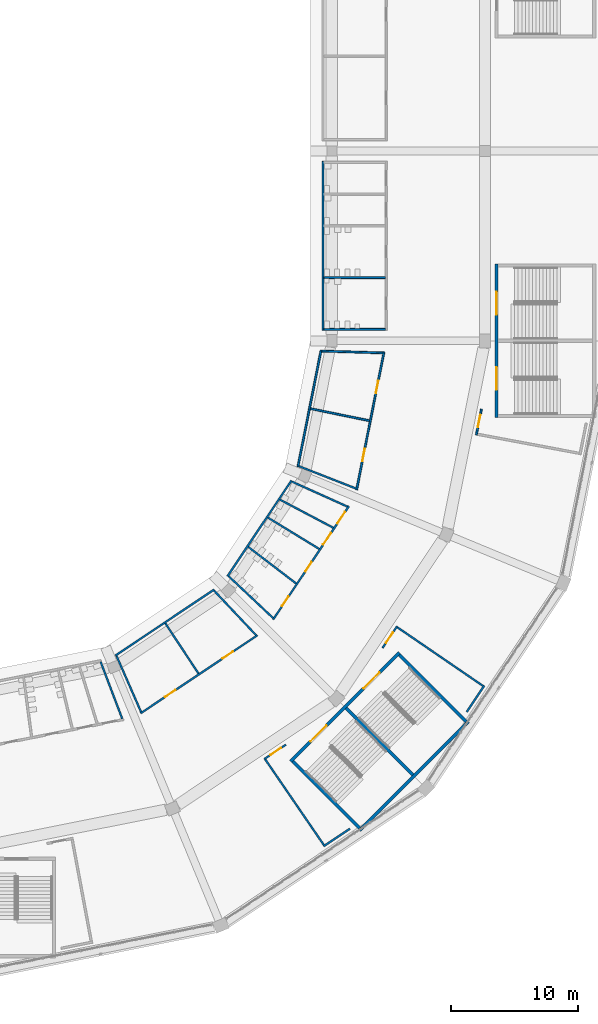
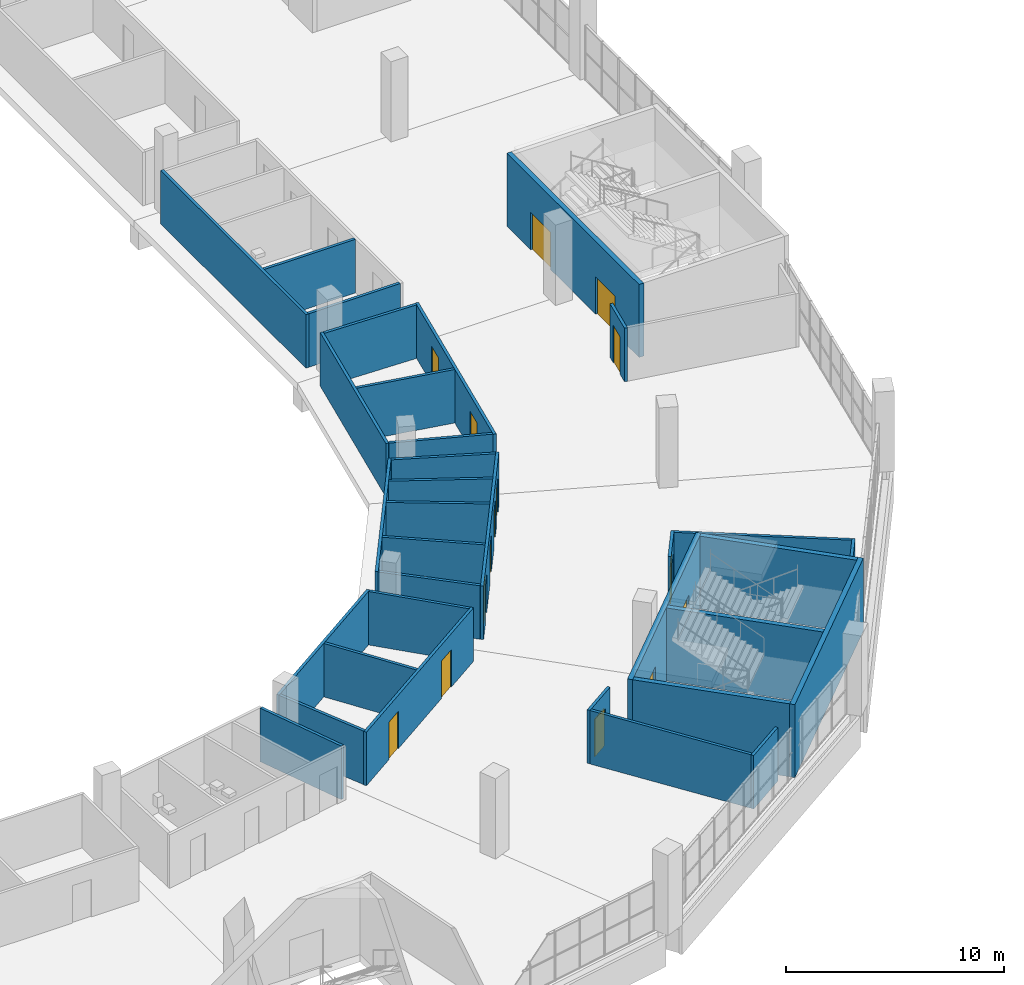
# One storey, part 81 of 199: 34 walls, 15 doors, 15 openings.
"""IFC4 building model written with IfcOpenShell, lengths in metres."""

from ifc_helpers import new_model, si_unit, direction, frame, frame_2d, origin, place, context, subcontext, project, spatial, rectangle, extrude, material, layer, layer_set, type_object, element, fill, save


model = new_model("IFC4")

# Units and contexts
model_context = context("Model", 3, precision=1e-05, world=origin(), true_north=direction((0.0, 1.0)))
body_context = subcontext(model_context, "Body", "Model", "MODEL_VIEW")
ifc_project = project(units=[si_unit("LENGTHUNIT", "METRE"), si_unit("AREAUNIT", "SQUARE_METRE"), si_unit("VOLUMEUNIT", "CUBIC_METRE"), si_unit("PLANEANGLEUNIT", "RADIAN"), si_unit("MASSUNIT", "GRAM", prefix="KILO")], contexts=[model_context])

# Site, building, storey
site_placement = place(None, origin())
site = spatial("IfcSite", under=ifc_project, at=site_placement, CompositionType="ELEMENT")
building_placement = place(site_placement, origin())
building = spatial("IfcBuilding", under=site, at=building_placement, Name="Ogive Plaza Stadium", CompositionType="ELEMENT")
storey_placement = place(building_placement, frame((0.0, 0.0, 4.5)))
storey = spatial("IfcBuildingStorey", under=building, at=storey_placement, Name="L01", CompositionType="ELEMENT", Elevation=4.5)

# Wall
ifc_material_1 = material(Name="Masonry blockwork", Category="masonry")
ifc_layer_1 = layer(ifc_material_1, 0.14990234375)
ifc_layer_set_1 = layer_set([ifc_layer_1], Name="Blockwork wall 150")
wall_type_1 = type_object("IfcWallType", Name="Blockwork wall 150", PredefinedType="SOLIDWALL", material=ifc_layer_set_1)
wall_1_placement = place(storey_placement, frame((61.052490234375, -53.240966796875, 0.0), z_axis=(0.0, 0.0, 1.0), x_axis=(-0.195075759432, -0.980788176969, 0.0)))
element("IfcWall", 1, at=wall_1_placement, inside=storey, type_object=wall_type_1, Name="Wall L01 B08", PredefinedType="SOLIDWALL", context=body_context, shape_type="SweptSolid", body=[
    extrude(rectangle(XDim=9.3876953125, YDim=0.14990234375, at=frame_2d((4.69384765625, 0.0))), origin(), (0.0, 0.0, 1.0), 3.0),
])

# Wall, openings, doors
wall_2_placement = place(storey_placement, frame((66.025390625, -53.377197265625, 0.0), z_axis=(0.0, 0.0, 1.0), x_axis=(-0.195076764682, -0.980787977027, 0.0)))
wall_2 = element("IfcWall", 2, at=wall_2_placement, inside=storey, type_object=wall_type_1, Name="Wall L01 B08", PredefinedType="SOLIDWALL", context=body_context, shape_type="SweptSolid", body=[
    extrude(rectangle(XDim=11.113525390625, YDim=0.14990234375, at=frame_2d((5.556640625, 0.0))), origin(), (0.0, 0.0, 1.0), 3.0),
])
opening_1_placement = place(wall_2_placement, frame((2.319091796875, 0.0, 0.0)))
opening_1 = element("IfcOpeningElement", 3, at=opening_1_placement, cuts=wall_2, Name="Opening D0491", PredefinedType="OPENING", context=body_context, shape_type="SweptSolid", body=[
    extrude(rectangle(XDim=1.0, YDim=2.10009765625, at=frame_2d((0.5, 1.050048828125))), frame((0.0, 0.074951171875, 0.0), z_axis=(0.0, -1.0, 0.0), x_axis=(1.0, 0.0, 0.0)), (0.0, 0.0, 1.0), 0.14990234375),
])
opening_2_placement = place(wall_2_placement, frame((7.79443359375, 0.0, 0.0)))
opening_2 = element("IfcOpeningElement", 4, at=opening_2_placement, cuts=wall_2, Name="Opening D0492", PredefinedType="OPENING", context=body_context, shape_type="SweptSolid", body=[
    extrude(rectangle(XDim=1.0, YDim=2.10009765625, at=frame_2d((0.5, 1.050048828125))), frame((0.0, 0.074951171875, 0.0), z_axis=(0.0, -1.0, 0.0), x_axis=(1.0, 0.0, 0.0)), (0.0, 0.0, 1.0), 0.14990234375),
])
ifc_material_2 = material(Name="Steel ASTM A572 Grade 50", Category="steel")
door_type_1 = type_object("IfcDoorType", Name="Door 1000 x 2100", OperationType="SINGLE_SWING_LEFT", PredefinedType="DOOR", material=ifc_material_2)
door_1_placement = place(opening_1_placement, origin())
door_1 = element("IfcDoor", 5, at=door_1_placement, inside=storey, type_object=door_type_1, Name="Club Bar B08 door", OperationType="SINGLE_SWING_LEFT", OverallHeight=2.10009765625, OverallWidth=1.0, PredefinedType="DOOR", context=body_context, shape_type="SweptSolid", body=[
    extrude(rectangle(XDim=1.0, YDim=2.10009765625, at=frame_2d((0.5, 1.050048828125))), frame((0.0, 0.02490234375, 0.0), z_axis=(0.0, -1.0, 0.0), x_axis=(1.0, 0.0, 0.0)), (0.0, 0.0, 1.0), 0.050048828125),
])
fill(opening_1, door_1)
ifc_material_3 = material(Name="Steel ASTM A572 Grade 50", Category="steel")
door_type_2 = type_object("IfcDoorType", Name="Fire door FD60 1000 x 2100", OperationType="SINGLE_SWING_LEFT", PredefinedType="DOOR", material=ifc_material_3)
door_2_placement = place(opening_2_placement, origin())
door_2 = element("IfcDoor", 6, at=door_2_placement, inside=storey, type_object=door_type_2, Name="Club Kitchen B08 door", OperationType="SINGLE_SWING_RIGHT", OverallHeight=2.10009765625, OverallWidth=1.0, PredefinedType="DOOR", context=body_context, shape_type="SweptSolid", body=[
    extrude(rectangle(XDim=1.0, YDim=2.10009765625, at=frame_2d((0.5, 1.050048828125))), frame((0.0, 0.02490234375, 0.0), z_axis=(0.0, -1.0, 0.0), x_axis=(1.0, 0.0, 0.0)), (0.0, 0.0, 1.0), 0.050048828125),
])
fill(opening_2, door_2)

# Walls
wall_3_placement = place(storey_placement, frame((61.11376953125, -53.310546875, 0.0), z_axis=(0.0, 0.0, 1.0), x_axis=(0.999552485488, -0.02991368842, 0.0)))
element("IfcWall", 7, at=wall_3_placement, inside=storey, type_object=wall_type_1, Name="Wall L01 B08", PredefinedType="SOLIDWALL", context=body_context, shape_type="SweptSolid", body=[
    extrude(rectangle(XDim=4.823486328125, YDim=0.14990234375, at=frame_2d((2.41162109375, 0.0))), origin(), (0.0, 0.0, 1.0), 3.0),
])
wall_4_placement = place(storey_placement, frame((60.208984375, -57.859375, 0.0), z_axis=(0.0, 0.0, 1.0), x_axis=(0.979720657149, -0.200368245875, 0.0)))
element("IfcWall", 8, at=wall_4_placement, inside=storey, type_object=wall_type_1, Name="Wall L01 B08", PredefinedType="SOLIDWALL", context=body_context, shape_type="SweptSolid", body=[
    extrude(rectangle(XDim=4.7568359375, YDim=0.14990234375, at=frame_2d((2.37841796875, 0.0))), origin(), (0.0, 0.0, 1.0), 3.0),
])
wall_5_placement = place(storey_placement, frame((59.30419921875, -62.408203125, 0.0), z_axis=(0.0, 0.0, 1.0), x_axis=(0.931152553876, -0.364629841634, 0.0)))
element("IfcWall", 9, at=wall_5_placement, inside=storey, type_object=wall_type_1, Name="Wall L01 B08", PredefinedType="SOLIDWALL", context=body_context, shape_type="SweptSolid", body=[
    extrude(rectangle(XDim=4.832275390625, YDim=0.14990234375, at=frame_2d((2.416015625, 0.0))), origin(), (0.0, 0.0, 1.0), 3.0),
])

# Wall, opening, door
wall_6_placement = place(storey_placement, frame((73.7265625, -57.896240234375, 0.0), z_axis=(0.0, 0.0, 1.0), x_axis=(-0.195055250603, -0.980792255889, 0.0)))
wall_6 = element("IfcWall", 10, at=wall_6_placement, inside=storey, type_object=wall_type_1, Name="Wall L01 B08", PredefinedType="SOLIDWALL", context=body_context, shape_type="SweptSolid", body=[
    extrude(rectangle(XDim=2.080322265625, YDim=0.14990234375, at=frame_2d((1.0400390625, 0.0))), origin(), (0.0, 0.0, 1.0), 3.0),
])
opening_3_placement = place(wall_6_placement, frame((0.47216796875, 0.0, 0.0)))
opening_3 = element("IfcOpeningElement", 11, at=opening_3_placement, cuts=wall_6, Name="Opening D0493", PredefinedType="OPENING", context=body_context, shape_type="SweptSolid", body=[
    extrude(rectangle(XDim=1.0, YDim=2.10009765625, at=frame_2d((0.5, 1.050048828125))), frame((0.0, 0.074951171875, 0.0), z_axis=(0.0, -1.0, 0.0), x_axis=(1.0, 0.0, 0.0)), (0.0, 0.0, 1.0), 0.14990234375),
])
door_3_placement = place(opening_3_placement, origin())
door_3 = element("IfcDoor", 12, at=door_3_placement, inside=storey, type_object=door_type_2, Name="Cleaner's Store B08 door", OperationType="SINGLE_SWING_LEFT", OverallHeight=2.10009765625, OverallWidth=1.0, PredefinedType="DOOR", context=body_context, shape_type="SweptSolid", body=[
    extrude(rectangle(XDim=1.0, YDim=2.10009765625, at=frame_2d((0.5, 1.050048828125))), frame((0.0, 0.02490234375, 0.0), z_axis=(0.0, -1.0, 0.0), x_axis=(1.0, 0.0, 0.0)), (0.0, 0.0, 1.0), 0.050048828125),
])
fill(opening_3, door_3)

wall_7_placement = place(storey_placement, frame((65.90673828125, -76.775390625, 0.0), z_axis=(0.0, 0.0, 1.0), x_axis=(0.555485387307, 0.831526298134, 0.0)))
wall_7 = element("IfcWall", 13, at=wall_7_placement, inside=storey, type_object=wall_type_1, Name="Wall L01 B09", PredefinedType="SOLIDWALL", context=body_context, shape_type="SweptSolid", body=[
    extrude(rectangle(XDim=2.080078125, YDim=0.14990234375, at=frame_2d((1.0400390625, 0.0))), origin(), (0.0, 0.0, 1.0), 3.0),
])
opening_4_placement = place(wall_7_placement, frame((0.47216796875, 0.0, 0.0)))
opening_4 = element("IfcOpeningElement", 14, at=opening_4_placement, cuts=wall_7, Name="Opening D0498", PredefinedType="OPENING", context=body_context, shape_type="SweptSolid", body=[
    extrude(rectangle(XDim=1.0, YDim=2.10009765625, at=frame_2d((0.5, 1.050048828125))), frame((0.0, 0.074951171875, 0.0), z_axis=(0.0, -1.0, 0.0), x_axis=(1.0, 0.0, 0.0)), (0.0, 0.0, 1.0), 0.14990234375),
])
door_4_placement = place(opening_4_placement, origin())
door_4 = element("IfcDoor", 15, at=door_4_placement, inside=storey, type_object=door_type_1, Name="Club Servery B09 door", OperationType="SINGLE_SWING_LEFT", OverallHeight=2.10009765625, OverallWidth=1.0, PredefinedType="DOOR", context=body_context, shape_type="SweptSolid", body=[
    extrude(rectangle(XDim=1.0, YDim=2.10009765625, at=frame_2d((0.5, 1.050048828125))), frame((0.0, 0.02490234375, 0.0), z_axis=(0.0, -1.0, 0.0), x_axis=(1.0, 0.0, 0.0)), (0.0, 0.0, 1.0), 0.050048828125),
])
fill(opening_4, door_4)

# Walls
wall_8_placement = place(storey_placement, frame((72.553955078125, -81.832763671875, 0.0), z_axis=(0.0, 0.0, 1.0), x_axis=(0.555551611961, 0.831482054195, 0.0)))
element("IfcWall", 16, at=wall_8_placement, inside=storey, type_object=wall_type_1, Name="Wall L01 B09", PredefinedType="SOLIDWALL", context=body_context, shape_type="SweptSolid", body=[
    extrude(rectangle(XDim=2.513671875, YDim=0.14990234375, at=frame_2d((1.2568359375, 0.0))), origin(), (0.0, 0.0, 1.0), 3.0),
])
wall_9_placement = place(storey_placement, frame((67.08544921875, -75.143798828125, 0.0), z_axis=(0.0, 0.0, 1.0), x_axis=(0.825237791444, -0.564785434986, 0.0)))
element("IfcWall", 17, at=wall_9_placement, inside=storey, type_object=wall_type_1, Name="Wall L01 B09", PredefinedType="SOLIDWALL", context=body_context, shape_type="SweptSolid", body=[
    extrude(rectangle(XDim=8.189697265625, YDim=0.14990234375, at=frame_2d((4.0947265625, 0.0))), origin(), (0.0, 0.0, 1.0), 3.0),
])
wall_10_placement = place(storey_placement, frame((52.60498046875, -72.153076171875, 0.0), z_axis=(0.0, 0.0, 1.0), x_axis=(-0.831461674059, -0.555582113257, 0.0)))
element("IfcWall", 18, at=wall_10_placement, inside=storey, type_object=wall_type_1, Name="Wall L01 B10", PredefinedType="SOLIDWALL", context=body_context, shape_type="SweptSolid", body=[
    extrude(rectangle(XDim=9.3876953125, YDim=0.14990234375, at=frame_2d((4.69384765625, 0.0))), origin(), (0.0, 0.0, 1.0), 3.0),
])

# Wall, openings, doors
wall_11_placement = place(storey_placement, frame((56.025146484375, -75.765869140625, 0.0), z_axis=(0.0, 0.0, 1.0), x_axis=(-0.831478677095, -0.55555666636, 0.0)))
wall_11 = element("IfcWall", 19, at=wall_11_placement, inside=storey, type_object=wall_type_1, Name="Wall L01 B10", PredefinedType="SOLIDWALL", context=body_context, shape_type="SweptSolid", body=[
    extrude(rectangle(XDim=11.11328125, YDim=0.14990234375, at=frame_2d((5.556640625, 0.0))), origin(), (0.0, 0.0, 1.0), 3.0),
])
opening_5_placement = place(wall_11_placement, frame((2.319091796875, 0.0, 0.0)))
opening_5 = element("IfcOpeningElement", 20, at=opening_5_placement, cuts=wall_11, Name="Opening D0499", PredefinedType="OPENING", context=body_context, shape_type="SweptSolid", body=[
    extrude(rectangle(XDim=1.0, YDim=2.10009765625, at=frame_2d((0.5, 1.050048828125))), frame((0.0, 0.074951171875, 0.0), z_axis=(0.0, -1.0, 0.0), x_axis=(1.0, 0.0, 0.0)), (0.0, 0.0, 1.0), 0.14990234375),
])
opening_6_placement = place(wall_11_placement, frame((7.79443359375, 0.0, 0.0)))
opening_6 = element("IfcOpeningElement", 21, at=opening_6_placement, cuts=wall_11, Name="Opening D0500", PredefinedType="OPENING", context=body_context, shape_type="SweptSolid", body=[
    extrude(rectangle(XDim=1.0, YDim=2.10009765625, at=frame_2d((0.5, 1.050048828125))), frame((0.0, 0.074951171875, 0.0), z_axis=(0.0, -1.0, 0.0), x_axis=(1.0, 0.0, 0.0)), (0.0, 0.0, 1.0), 0.14990234375),
])
door_5_placement = place(opening_5_placement, origin())
door_5 = element("IfcDoor", 22, at=door_5_placement, inside=storey, type_object=door_type_1, Name="Club Bar B10 door", OperationType="SINGLE_SWING_LEFT", OverallHeight=2.10009765625, OverallWidth=1.0, PredefinedType="DOOR", context=body_context, shape_type="SweptSolid", body=[
    extrude(rectangle(XDim=1.0, YDim=2.10009765625, at=frame_2d((0.5, 1.050048828125))), frame((0.0, 0.02490234375, 0.0), z_axis=(0.0, -1.0, 0.0), x_axis=(1.0, 0.0, 0.0)), (0.0, 0.0, 1.0), 0.050048828125),
])
fill(opening_5, door_5)
door_6_placement = place(opening_6_placement, origin())
door_6 = element("IfcDoor", 23, at=door_6_placement, inside=storey, type_object=door_type_2, Name="Club Kitchen B10 door", OperationType="SINGLE_SWING_RIGHT", OverallHeight=2.10009765625, OverallWidth=1.0, PredefinedType="DOOR", context=body_context, shape_type="SweptSolid", body=[
    extrude(rectangle(XDim=1.0, YDim=2.10009765625, at=frame_2d((0.5, 1.050048828125))), frame((0.0, 0.02490234375, 0.0), z_axis=(0.0, -1.0, 0.0), x_axis=(1.0, 0.0, 0.0)), (0.0, 0.0, 1.0), 0.050048828125),
])
fill(opening_6, door_6)

# Walls
wall_12_placement = place(storey_placement, frame((52.59912109375, -72.24560546875, 0.0), z_axis=(0.0, 0.0, 1.0), x_axis=(0.685685134118, -0.727898273696, 0.0)))
element("IfcWall", 24, at=wall_12_placement, inside=storey, type_object=wall_type_1, Name="Wall L01 B10", PredefinedType="SOLIDWALL", context=body_context, shape_type="SweptSolid", body=[
    extrude(rectangle(XDim=4.823486328125, YDim=0.14990234375, at=frame_2d((2.41162109375, 0.0))), origin(), (0.0, 0.0, 1.0), 3.0),
])
wall_13_placement = place(storey_placement, frame((48.742919921875, -74.822265625, 0.0), z_axis=(0.0, 0.0, 1.0), x_axis=(0.551118175735, -0.834427202561, 0.0)))
element("IfcWall", 25, at=wall_13_placement, inside=storey, type_object=wall_type_1, Name="Wall L01 B10", PredefinedType="SOLIDWALL", context=body_context, shape_type="SweptSolid", body=[
    extrude(rectangle(XDim=4.7568359375, YDim=0.14990234375, at=frame_2d((2.37841796875, 0.0))), origin(), (0.0, 0.0, 1.0), 3.0),
])
wall_14_placement = place(storey_placement, frame((44.886474609375, -77.39892578125, 0.0), z_axis=(0.0, 0.0, 1.0), x_axis=(0.400646552146, -0.916232688924, 0.0)))
element("IfcWall", 26, at=wall_14_placement, inside=storey, type_object=wall_type_1, Name="Wall L01 B10", PredefinedType="SOLIDWALL", context=body_context, shape_type="SweptSolid", body=[
    extrude(rectangle(XDim=4.832275390625, YDim=0.14990234375, at=frame_2d((2.416015625, 0.0))), origin(), (0.0, 0.0, 1.0), 3.0),
])

# Wall, opening, door
wall_15_placement = place(storey_placement, frame((58.275390625, -84.40673828125, 0.0), z_axis=(0.0, 0.0, 1.0), x_axis=(-0.831526298134, -0.555485387307, 0.0)))
wall_15 = element("IfcWall", 27, at=wall_15_placement, inside=storey, type_object=wall_type_1, Name="Wall L01 B10", PredefinedType="SOLIDWALL", context=body_context, shape_type="SweptSolid", body=[
    extrude(rectangle(XDim=2.080078125, YDim=0.14990234375, at=frame_2d((1.0400390625, 0.0))), origin(), (0.0, 0.0, 1.0), 3.0),
])
opening_7_placement = place(wall_15_placement, frame((0.47216796875, 0.0, 0.0)))
opening_7 = element("IfcOpeningElement", 28, at=opening_7_placement, cuts=wall_15, Name="Opening D0501", PredefinedType="OPENING", context=body_context, shape_type="SweptSolid", body=[
    extrude(rectangle(XDim=1.0, YDim=2.10009765625, at=frame_2d((0.5, 1.050048828125))), frame((0.0, 0.074951171875, 0.0), z_axis=(0.0, -1.0, 0.0), x_axis=(1.0, 0.0, 0.0)), (0.0, 0.0, 1.0), 0.14990234375),
])
door_7_placement = place(opening_7_placement, origin())
door_7 = element("IfcDoor", 29, at=door_7_placement, inside=storey, type_object=door_type_2, Name="Club Store B10 door", OperationType="SINGLE_SWING_LEFT", OverallHeight=2.10009765625, OverallWidth=1.0, PredefinedType="DOOR", context=body_context, shape_type="SweptSolid", body=[
    extrude(rectangle(XDim=1.0, YDim=2.10009765625, at=frame_2d((0.5, 1.050048828125))), frame((0.0, 0.02490234375, 0.0), z_axis=(0.0, -1.0, 0.0), x_axis=(1.0, 0.0, 0.0)), (0.0, 0.0, 1.0), 0.050048828125),
])
fill(opening_7, door_7)

# Walls
wall_16_placement = place(storey_placement, frame((63.332763671875, -91.053955078125, 0.0), z_axis=(0.0, 0.0, 1.0), x_axis=(-0.831482054195, -0.555551611961, 0.0)))
element("IfcWall", 30, at=wall_16_placement, inside=storey, type_object=wall_type_1, Name="Wall L01 B10", PredefinedType="SOLIDWALL", context=body_context, shape_type="SweptSolid", body=[
    extrude(rectangle(XDim=2.513671875, YDim=0.14990234375, at=frame_2d((1.2568359375, 0.0))), origin(), (0.0, 0.0, 1.0), 3.0),
])
wall_17_placement = place(storey_placement, frame((56.643798828125, -85.58544921875, 0.0), z_axis=(0.0, 0.0, 1.0), x_axis=(0.564785434986, -0.825237791444, 0.0)))
element("IfcWall", 31, at=wall_17_placement, inside=storey, type_object=wall_type_1, Name="Wall L01 B10", PredefinedType="SOLIDWALL", context=body_context, shape_type="SweptSolid", body=[
    extrude(rectangle(XDim=8.189697265625, YDim=0.14990234375, at=frame_2d((4.0947265625, 0.0))), origin(), (0.0, 0.0, 1.0), 3.0),
])

# Wall, openings, doors
ifc_material_4 = material(Name="Concrete C40/50", Category="concrete")
ifc_layer_2 = layer(ifc_material_4, 0.25)
ifc_layer_set_2 = layer_set([ifc_layer_2], Name="Concrete C40/50")
wall_type_2 = type_object("IfcWallType", Name="Core wall 250", PredefinedType="SHEAR", material=ifc_layer_set_2)
wall_18_placement = place(storey_placement, frame((74.925048828125, -58.574951171875, 0.0), z_axis=(0.0, 0.0, 1.0), x_axis=(0.0, 1.0, 0.0)))
wall_18 = element("IfcWall", 32, at=wall_18_placement, inside=storey, type_object=wall_type_2, Name="Stair core R08 inner wall", PredefinedType="SHEAR", context=body_context, shape_type="SweptSolid", body=[
    extrude(rectangle(XDim=12.14990234375, YDim=0.25, at=frame_2d((6.074951171875, 0.0))), origin(), (0.0, 0.0, 1.0), 4.090087890625),
])
opening_8_placement = place(wall_18_placement, frame((2.199951171875, 0.0, 0.0)))
opening_8 = element("IfcOpeningElement", 33, at=opening_8_placement, cuts=wall_18, Name="Opening D0083", PredefinedType="OPENING", context=body_context, shape_type="SweptSolid", body=[
    extrude(rectangle(XDim=1.800048828125, YDim=2.10009765625, at=frame_2d((0.89990234375, 1.050048828125))), frame((0.0, 0.125, 0.0), z_axis=(0.0, -1.0, 0.0), x_axis=(1.0, 0.0, 0.0)), (0.0, 0.0, 1.0), 0.25),
])
opening_9_placement = place(wall_18_placement, frame((8.14990234375, 0.0, 0.0)))
opening_9 = element("IfcOpeningElement", 34, at=opening_9_placement, cuts=wall_18, Name="Opening D0084", PredefinedType="OPENING", context=body_context, shape_type="SweptSolid", body=[
    extrude(rectangle(XDim=1.800048828125, YDim=2.10009765625, at=frame_2d((0.89990234375, 1.050048828125))), frame((0.0, 0.125, 0.0), z_axis=(0.0, -1.0, 0.0), x_axis=(1.0, 0.0, 0.0)), (0.0, 0.0, 1.0), 0.25),
])
ifc_material_5 = material(Name="Steel ASTM A572 Grade 50", Category="steel")
door_type_3 = type_object("IfcDoorType", Name="Fire door FD90 pair 1800 x 2100", OperationType="DOUBLE_DOOR_SINGLE_SWING", PredefinedType="DOOR", material=ifc_material_5)
door_8_placement = place(opening_8_placement, origin())
door_8 = element("IfcDoor", 35, at=door_8_placement, inside=storey, type_object=door_type_3, Name="Exit stair R08A door L01", OperationType="DOUBLE_DOOR_SINGLE_SWING", OverallHeight=2.10009765625, OverallWidth=1.800048828125, PredefinedType="DOOR", context=body_context, shape_type="SweptSolid", body=[
    extrude(rectangle(XDim=1.800048828125, YDim=2.10009765625, at=frame_2d((0.89990234375, 1.050048828125))), frame((0.0, 0.02490234375, 0.0), z_axis=(0.0, -1.0, 0.0), x_axis=(1.0, 0.0, 0.0)), (0.0, 0.0, 1.0), 0.050048828125),
])
fill(opening_8, door_8)
door_9_placement = place(opening_9_placement, origin())
door_9 = element("IfcDoor", 36, at=door_9_placement, inside=storey, type_object=door_type_3, Name="Exit stair R08B door L01", OperationType="DOUBLE_DOOR_SINGLE_SWING", OverallHeight=2.10009765625, OverallWidth=1.800048828125, PredefinedType="DOOR", context=body_context, shape_type="SweptSolid", body=[
    extrude(rectangle(XDim=1.800048828125, YDim=2.10009765625, at=frame_2d((0.89990234375, 1.050048828125))), frame((0.0, 0.02490234375, 0.0), z_axis=(0.0, -1.0, 0.0), x_axis=(1.0, 0.0, 0.0)), (0.0, 0.0, 1.0), 0.050048828125),
])
fill(opening_9, door_9)

wall_19_placement = place(storey_placement, frame((58.642578125, -85.734130859375, 0.0), z_axis=(0.0, 0.0, 1.0), x_axis=(0.707106781187, 0.707106781187, 0.0)))
wall_19 = element("IfcWall", 37, at=wall_19_placement, inside=storey, type_object=wall_type_2, Name="Stair core R10 inner wall", PredefinedType="SHEAR", context=body_context, shape_type="SweptSolid", body=[
    extrude(rectangle(XDim=12.150390625, YDim=0.25, at=frame_2d((6.0751953125, 0.0))), origin(), (0.0, 0.0, 1.0), 4.090087890625),
])
opening_10_placement = place(wall_19_placement, frame((2.199951171875, 0.0, 0.0)))
opening_10 = element("IfcOpeningElement", 38, at=opening_10_placement, cuts=wall_19, Name="Opening D0095", PredefinedType="OPENING", context=body_context, shape_type="SweptSolid", body=[
    extrude(rectangle(XDim=1.800048828125, YDim=2.10009765625, at=frame_2d((0.89990234375, 1.050048828125))), frame((0.0, 0.125, 0.0), z_axis=(0.0, -1.0, 0.0), x_axis=(1.0, 0.0, 0.0)), (0.0, 0.0, 1.0), 0.25),
])
opening_11_placement = place(wall_19_placement, frame((8.14990234375, 0.0, 0.0)))
opening_11 = element("IfcOpeningElement", 39, at=opening_11_placement, cuts=wall_19, Name="Opening D0096", PredefinedType="OPENING", context=body_context, shape_type="SweptSolid", body=[
    extrude(rectangle(XDim=1.800048828125, YDim=2.10009765625, at=frame_2d((0.89990234375, 1.050048828125))), frame((0.0, 0.125, 0.0), z_axis=(0.0, -1.0, 0.0), x_axis=(1.0, 0.0, 0.0)), (0.0, 0.0, 1.0), 0.25),
])
door_10_placement = place(opening_10_placement, origin())
door_10 = element("IfcDoor", 40, at=door_10_placement, inside=storey, type_object=door_type_3, Name="Exit stair R10A door L01", OperationType="DOUBLE_DOOR_SINGLE_SWING", OverallHeight=2.10009765625, OverallWidth=1.800048828125, PredefinedType="DOOR", context=body_context, shape_type="SweptSolid", body=[
    extrude(rectangle(XDim=1.800048828125, YDim=2.10009765625, at=frame_2d((0.89990234375, 1.050048828125))), frame((0.0, 0.02490234375, 0.0), z_axis=(0.0, -1.0, 0.0), x_axis=(1.0, 0.0, 0.0)), (0.0, 0.0, 1.0), 0.050048828125),
])
fill(opening_10, door_10)
door_11_placement = place(opening_11_placement, origin())
door_11 = element("IfcDoor", 41, at=door_11_placement, inside=storey, type_object=door_type_3, Name="Exit stair R10B door L01", OperationType="DOUBLE_DOOR_SINGLE_SWING", OverallHeight=2.10009765625, OverallWidth=1.800048828125, PredefinedType="DOOR", context=body_context, shape_type="SweptSolid", body=[
    extrude(rectangle(XDim=1.800048828125, YDim=2.10009765625, at=frame_2d((0.89990234375, 1.050048828125))), frame((0.0, 0.02490234375, 0.0), z_axis=(0.0, -1.0, 0.0), x_axis=(1.0, 0.0, 0.0)), (0.0, 0.0, 1.0), 0.050048828125),
])
fill(opening_11, door_11)

# Walls
wall_20_placement = place(storey_placement, frame((64.094482421875, -91.185791015625, 0.0), z_axis=(0.0, 0.0, 1.0), x_axis=(0.707106781187, 0.707106781187, 0.0)))
element("IfcWall", 42, at=wall_20_placement, inside=storey, type_object=wall_type_2, Name="Stair core R10 outer wall", PredefinedType="SHEAR", context=body_context, shape_type="SweptSolid", body=[
    extrude(rectangle(XDim=12.14990234375, YDim=0.25, at=frame_2d((6.074951171875, 0.0))), origin(), (0.0, 0.0, 1.0), 4.090087890625),
])
for number, where, z_axis, x_axis, name in (
    (43, (58.8193359375, -85.734130859375, 0.0), (0.0, 0.0, 1.0), (0.707123144286, -0.707090417709, 0.0), "Stair core R10 side wall"),
    (44, (67.234130859375, -77.3193359375, 0.0), (0.0, 0.0, 1.0), (0.707090417709, -0.707123144286, 0.0), "Stair core R10 side wall"),
):
    element("IfcWall", number, at=place(storey_placement, frame(where, z_axis=z_axis, x_axis=x_axis)), inside=storey, type_object=wall_type_2, Name=name, PredefinedType="SHEAR", context=body_context, shape_type="SweptSolid", body=[
        extrude(rectangle(XDim=7.4599609375, YDim=0.25, at=frame_2d((3.72998046875, 0.0))), origin(), (0.0, 0.0, 1.0), 4.090087890625),
    ])
wall_21_placement = place(storey_placement, frame((63.026611328125, -81.526611328125, 0.0), z_axis=(0.0, 0.0, 1.0), x_axis=(0.707106781187, -0.707106781187, 0.0)))
element("IfcWall", 45, at=wall_21_placement, inside=storey, type_object=wall_type_2, Name="Stair core R10 centre wall", PredefinedType="SHEAR", context=body_context, shape_type="SweptSolid", body=[
    extrude(rectangle(XDim=7.460205078125, YDim=0.25, at=frame_2d((3.72998046875, 0.0))), origin(), (0.0, 0.0, 1.0), 4.090087890625),
])
ifc_material_6 = material(Name="Gypsum board partition", Category="gypsum")
ifc_layer_3 = layer(ifc_material_6, 0.14990234375)
ifc_layer_set_3 = layer_set([ifc_layer_3], Name="Partition 150")
wall_type_3 = type_object("IfcWallType", Name="Partition 150", PredefinedType="PARTITIONING", material=ifc_layer_set_3)
wall_22_placement = place(storey_placement, frame((61.199951171875, -51.675048828125, 0.0), z_axis=(0.0, 0.0, 1.0), x_axis=(0.0, 1.0, 0.0)))
element("IfcWall", 46, at=wall_22_placement, inside=storey, type_object=wall_type_3, Name="Wall L01 B07", PredefinedType="PARTITIONING", context=body_context, shape_type="SweptSolid", body=[
    extrude(rectangle(XDim=13.35009765625, YDim=0.14990234375, at=frame_2d((6.675048828125, 0.0))), origin(), (0.0, 0.0, 1.0), 3.0),
])
for number, where, z_axis, x_axis, name in (
    (47, (61.27490234375, -51.60009765625, 0.0), (0.0, 0.0, 1.0), (1.0, 0.0, 0.0), "Wall L01 B07"),
    (48, (61.27490234375, -47.508056640625, 0.0), (0.0, 0.0, 1.0), (1.0, 0.0, 0.0), "Wall L01 B07"),
):
    element("IfcWall", number, at=place(storey_placement, frame(where, z_axis=z_axis, x_axis=x_axis)), inside=storey, type_object=wall_type_3, Name=name, PredefinedType="PARTITIONING", context=body_context, shape_type="SweptSolid", body=[
        extrude(rectangle(XDim=4.85009765625, YDim=0.14990234375, at=frame_2d((2.425048828125, 0.0))), origin(), (0.0, 0.0, 1.0), 3.0),
    ])
wall_23_placement = place(storey_placement, frame((53.653076171875, -71.10498046875, 0.0), z_axis=(0.0, 0.0, 1.0), x_axis=(0.555566497886, 0.831472108027, 0.0)))
element("IfcWall", 49, at=wall_23_placement, inside=storey, type_object=wall_type_3, Name="Wall L01 B09", PredefinedType="PARTITIONING", context=body_context, shape_type="SweptSolid", body=[
    extrude(rectangle(XDim=9.101806640625, YDim=0.14990234375, at=frame_2d((4.55078125, 0.0))), origin(), (0.0, 0.0, 1.0), 3.0),
])

# Wall, openings, doors
wall_24_placement = place(storey_placement, frame((57.265869140625, -74.525146484375, 0.0), z_axis=(0.0, 0.0, 1.0), x_axis=(0.555562662276, 0.831474670862, 0.0)))
wall_24 = element("IfcWall", 50, at=wall_24_placement, inside=storey, type_object=wall_type_3, Name="Wall L01 B09", PredefinedType="PARTITIONING", context=body_context, shape_type="SweptSolid", body=[
    extrude(rectangle(XDim=10.77490234375, YDim=0.14990234375, at=frame_2d((5.387451171875, 0.0))), origin(), (0.0, 0.0, 1.0), 3.0),
])
opening_12_placement = place(wall_24_placement, frame((1.276123046875, 0.0, 0.0)))
opening_12 = element("IfcOpeningElement", 51, at=opening_12_placement, cuts=wall_24, Name="Opening D0494", PredefinedType="OPENING", context=body_context, shape_type="SweptSolid", body=[
    extrude(rectangle(XDim=0.89990234375, YDim=2.10009765625, at=frame_2d((0.449951171875, 1.050048828125))), frame((0.0, 0.074951171875, 0.0), z_axis=(0.0, -1.0, 0.0), x_axis=(1.0, 0.0, 0.0)), (0.0, 0.0, 1.0), 0.14990234375),
])
opening_13_placement = place(wall_24_placement, frame((4.56591796875, 0.0, 0.0)))
opening_13 = element("IfcOpeningElement", 52, at=opening_13_placement, cuts=wall_24, Name="Opening D0495", PredefinedType="OPENING", context=body_context, shape_type="SweptSolid", body=[
    extrude(rectangle(XDim=0.89990234375, YDim=2.10009765625, at=frame_2d((0.449951171875, 1.050048828125))), frame((0.0, 0.074951171875, 0.0), z_axis=(0.0, -1.0, 0.0), x_axis=(1.0, 0.0, 0.0)), (0.0, 0.0, 1.0), 0.14990234375),
])
opening_14_placement = place(wall_24_placement, frame((7.119140625, 0.0, 0.0)))
opening_14 = element("IfcOpeningElement", 53, at=opening_14_placement, cuts=wall_24, Name="Opening D0496", PredefinedType="OPENING", context=body_context, shape_type="SweptSolid", body=[
    extrude(rectangle(XDim=1.10009765625, YDim=2.10009765625, at=frame_2d((0.550048828125, 1.050048828125))), frame((0.0, 0.074951171875, 0.0), z_axis=(0.0, -1.0, 0.0), x_axis=(1.0, 0.0, 0.0)), (0.0, 0.0, 1.0), 0.14990234375),
])
opening_15_placement = place(wall_24_placement, frame((9.135498046875, 0.0, 0.0)))
opening_15 = element("IfcOpeningElement", 54, at=opening_15_placement, cuts=wall_24, Name="Opening D0497", PredefinedType="OPENING", context=body_context, shape_type="SweptSolid", body=[
    extrude(rectangle(XDim=1.10009765625, YDim=2.10009765625, at=frame_2d((0.550048828125, 1.050048828125))), frame((0.0, 0.074951171875, 0.0), z_axis=(0.0, -1.0, 0.0), x_axis=(1.0, 0.0, 0.0)), (0.0, 0.0, 1.0), 0.14990234375),
])
ifc_material_7 = material(Name="Steel ASTM A572 Grade 50", Category="steel")
door_type_4 = type_object("IfcDoorType", Name="Accessible door 1100 x 2100", OperationType="SINGLE_SWING_LEFT", PredefinedType="DOOR", material=ifc_material_7)
door_12_placement = place(opening_14_placement, origin())
door_12 = element("IfcDoor", 55, at=door_12_placement, inside=storey, type_object=door_type_4, Name="Accessible WC B09 door", OperationType="SINGLE_SWING_LEFT", OverallHeight=2.10009765625, OverallWidth=1.10009765625, PredefinedType="DOOR", context=body_context, shape_type="SweptSolid", body=[
    extrude(rectangle(XDim=1.10009765625, YDim=2.10009765625, at=frame_2d((0.550048828125, 1.050048828125))), frame((0.0, 0.02490234375, 0.0), z_axis=(0.0, -1.0, 0.0), x_axis=(1.0, 0.0, 0.0)), (0.0, 0.0, 1.0), 0.050048828125),
])
fill(opening_14, door_12)
door_13_placement = place(opening_15_placement, origin())
door_13 = element("IfcDoor", 56, at=door_13_placement, inside=storey, type_object=door_type_4, Name="Family WC B09 door", OperationType="SINGLE_SWING_LEFT", OverallHeight=2.10009765625, OverallWidth=1.10009765625, PredefinedType="DOOR", context=body_context, shape_type="SweptSolid", body=[
    extrude(rectangle(XDim=1.10009765625, YDim=2.10009765625, at=frame_2d((0.550048828125, 1.050048828125))), frame((0.0, 0.02490234375, 0.0), z_axis=(0.0, -1.0, 0.0), x_axis=(1.0, 0.0, 0.0)), (0.0, 0.0, 1.0), 0.050048828125),
])
fill(opening_15, door_13)
ifc_material_8 = material(Name="Steel ASTM A572 Grade 50", Category="steel")
door_type_5 = type_object("IfcDoorType", Name="Door 900 x 2100", OperationType="SINGLE_SWING_LEFT", PredefinedType="DOOR", material=ifc_material_8)
door_14_placement = place(opening_12_placement, origin())
door_14 = element("IfcDoor", 57, at=door_14_placement, inside=storey, type_object=door_type_5, Name="Men's Toilet B09 door", OperationType="SINGLE_SWING_RIGHT", OverallHeight=2.10009765625, OverallWidth=0.89990234375, PredefinedType="DOOR", context=body_context, shape_type="SweptSolid", body=[
    extrude(rectangle(XDim=0.89990234375, YDim=2.10009765625, at=frame_2d((0.449951171875, 1.050048828125))), frame((0.0, 0.02490234375, 0.0), z_axis=(0.0, -1.0, 0.0), x_axis=(1.0, 0.0, 0.0)), (0.0, 0.0, 1.0), 0.050048828125),
])
fill(opening_12, door_14)
door_15_placement = place(opening_13_placement, origin())
door_15 = element("IfcDoor", 58, at=door_15_placement, inside=storey, type_object=door_type_5, Name="Women's Toilet B09 door", OperationType="SINGLE_SWING_LEFT", OverallHeight=2.10009765625, OverallWidth=0.89990234375, PredefinedType="DOOR", context=body_context, shape_type="SweptSolid", body=[
    extrude(rectangle(XDim=0.89990234375, YDim=2.10009765625, at=frame_2d((0.449951171875, 1.050048828125))), frame((0.0, 0.02490234375, 0.0), z_axis=(0.0, -1.0, 0.0), x_axis=(1.0, 0.0, 0.0)), (0.0, 0.0, 1.0), 0.050048828125),
])
fill(opening_13, door_15)

# Walls
wall_25_placement = place(storey_placement, frame((53.74560546875, -71.09912109375, 0.0), z_axis=(0.0, 0.0, 1.0), x_axis=(0.727898273696, -0.685685134118, 0.0)))
element("IfcWall", 59, at=wall_25_placement, inside=storey, type_object=wall_type_3, Name="Wall L01 B09", PredefinedType="PARTITIONING", context=body_context, shape_type="SweptSolid", body=[
    extrude(rectangle(XDim=4.823486328125, YDim=0.14990234375, at=frame_2d((2.41162109375, 0.0))), origin(), (0.0, 0.0, 1.0), 3.0),
])
wall_26_placement = place(storey_placement, frame((55.293701171875, -68.7822265625, 0.0), z_axis=(0.0, 0.0, 1.0), x_axis=(0.794378186515, -0.607423490482, 0.0)))
element("IfcWall", 60, at=wall_26_placement, inside=storey, type_object=wall_type_3, Name="Wall L01 B09", PredefinedType="PARTITIONING", context=body_context, shape_type="SweptSolid", body=[
    extrude(rectangle(XDim=4.766357421875, YDim=0.14990234375, at=frame_2d((2.38330078125, 0.0))), origin(), (0.0, 0.0, 1.0), 3.0),
])
wall_27_placement = place(storey_placement, frame((56.841796875, -66.465087890625, 0.0), z_axis=(0.0, 0.0, 1.0), x_axis=(0.853168994556, -0.521634610364, 0.0)))
element("IfcWall", 61, at=wall_27_placement, inside=storey, type_object=wall_type_3, Name="Wall L01 B09", PredefinedType="PARTITIONING", context=body_context, shape_type="SweptSolid", body=[
    extrude(rectangle(XDim=4.7607421875, YDim=0.14990234375, at=frame_2d((2.38037109375, 0.0))), origin(), (0.0, 0.0, 1.0), 3.0),
])
wall_28_placement = place(storey_placement, frame((57.790771484375, -65.044921875, 0.0), z_axis=(0.0, 0.0, 1.0), x_axis=(0.884560293024, -0.466425865498, 0.0)))
element("IfcWall", 62, at=wall_28_placement, inside=storey, type_object=wall_type_3, Name="Wall L01 B09", PredefinedType="PARTITIONING", context=body_context, shape_type="SweptSolid", body=[
    extrude(rectangle(XDim=4.782470703125, YDim=0.14990234375, at=frame_2d((2.39111328125, 0.0))), origin(), (0.0, 0.0, 1.0), 3.0),
])
wall_29_placement = place(storey_placement, frame((58.73974609375, -63.625, 0.0), z_axis=(0.0, 0.0, 1.0), x_axis=(0.912037017215, -0.410107887306, 0.0)))
element("IfcWall", 63, at=wall_29_placement, inside=storey, type_object=wall_type_3, Name="Wall L01 B09", PredefinedType="PARTITIONING", context=body_context, shape_type="SweptSolid", body=[
    extrude(rectangle(XDim=4.8232421875, YDim=0.14990234375, at=frame_2d((2.41162109375, 0.0))), origin(), (0.0, 0.0, 1.0), 3.0),
])
wall_30_placement = place(storey_placement, frame((43.626953125, -77.860107421875, 0.0), z_axis=(0.0, 0.0, 1.0), x_axis=(0.354909029819, -0.934900839957, 0.0)))
element("IfcWall", 64, at=wall_30_placement, inside=storey, type_object=wall_type_3, Name="Wall L01 B11", PredefinedType="PARTITIONING", context=body_context, shape_type="SweptSolid", body=[
    extrude(rectangle(XDim=4.823486328125, YDim=0.14990234375, at=frame_2d((2.41162109375, 0.0))), origin(), (0.0, 0.0, 1.0), 3.0),
])

save(model, "model.ifc")
